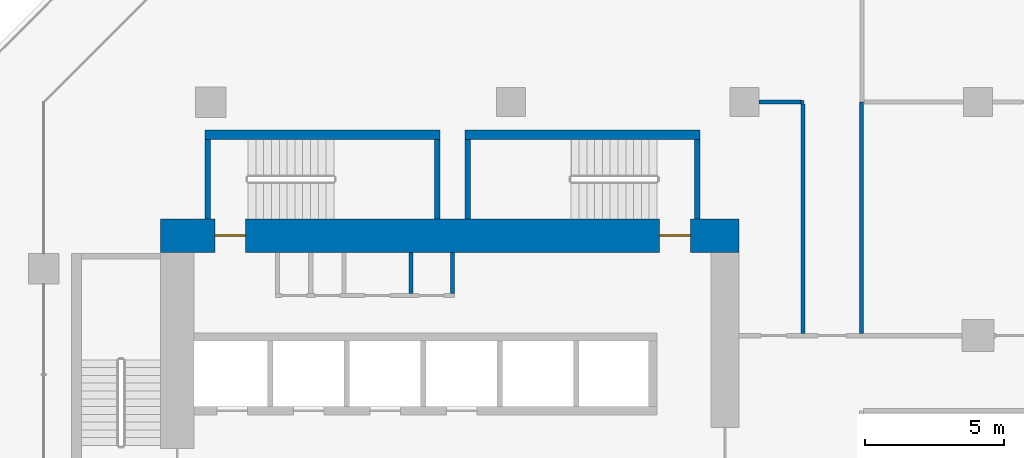
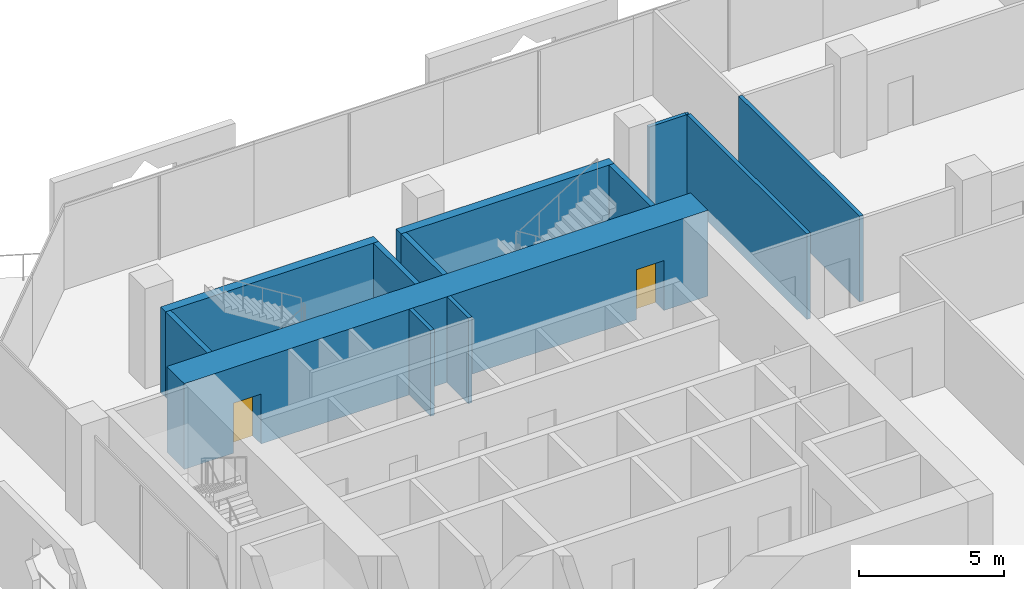
# One storey, part 16 of 25: 13 walls, 2 doors, 2 openings.
"""IFC4 building model written with IfcOpenShell, lengths in metres."""

from ifc_helpers import new_model, si_unit, direction, frame, frame_2d, origin, place, context, subcontext, project, spatial, rectangle, extrude, material, layer, layer_set, type_object, element, fill, save


model = new_model("IFC4")

# Units and contexts
model_context = context("Model", 3, precision=1e-05, world=origin(), true_north=direction((0.0, 1.0)))
body_context = subcontext(model_context, "Body", "Model", "MODEL_VIEW")
ifc_project = project(units=[si_unit("LENGTHUNIT", "METRE"), si_unit("AREAUNIT", "SQUARE_METRE"), si_unit("VOLUMEUNIT", "CUBIC_METRE"), si_unit("PLANEANGLEUNIT", "RADIAN"), si_unit("MASSUNIT", "GRAM", prefix="KILO")], contexts=[model_context])

# Site, building, storey
site_placement = place(None, origin())
site = spatial("IfcSite", under=ifc_project, at=site_placement, CompositionType="ELEMENT")
building_placement = place(site_placement, origin())
building = spatial("IfcBuilding", under=site, at=building_placement, Name="Kawkab Arch Medical Tower", CompositionType="ELEMENT")
storey_placement = place(building_placement, frame((0.0, 0.0, 98.800048828125)))
storey = spatial("IfcBuildingStorey", under=building, at=storey_placement, Name="L22", CompositionType="ELEMENT", Elevation=98.800048828125)

# Wall, openings, doors
ifc_material_1 = material(Name="Concrete C60/75", Category="concrete")
ifc_layer_1 = layer(ifc_material_1, 1.199951171875)
ifc_layer_set_1 = layer_set([ifc_layer_1], Name="Concrete C60/75")
wall_type_1 = type_object("IfcWallType", Name="Core ring wall 1200 C60/75", PredefinedType="SHEAR", material=ifc_layer_set_1)
wall_1_placement = place(storey_placement, frame((4.199951171875, -4.800048828125, 0.0), z_axis=(0.0, 0.0, 1.0), x_axis=(1.0, 0.0, 0.0)))
wall_1 = element("IfcWall", 1, at=wall_1_placement, inside=storey, type_object=wall_type_1, Name="L22 core wall", PredefinedType="SHEAR", context=body_context, shape_type="SweptSolid", body=[
    extrude(rectangle(XDim=20.800048828125, YDim=1.199951171875, at=frame_2d((10.39990234375, 0.0))), origin(), (0.0, 0.0, 1.0), 3.599853515625),
])
opening_1_placement = place(wall_1_placement, frame((1.949951171875, 0.0, 0.0)))
opening_1 = element("IfcOpeningElement", 2, at=opening_1_placement, cuts=wall_1, Name="Opening SD", PredefinedType="OPENING", context=body_context, shape_type="SweptSolid", body=[
    extrude(rectangle(XDim=1.10009765625, YDim=2.10009765625, at=frame_2d((0.550048828125, 1.050048828125))), frame((0.0, 0.60986328125, 0.0), z_axis=(0.0, -1.0, 0.0), x_axis=(1.0, 0.0, 0.0)), (0.0, 0.0, 1.0), 1.219970703125),
])
opening_2_placement = place(wall_1_placement, frame((17.949951171875, 0.0, 0.0)))
opening_2 = element("IfcOpeningElement", 3, at=opening_2_placement, cuts=wall_1, Name="Opening SD", PredefinedType="OPENING", context=body_context, shape_type="SweptSolid", body=[
    extrude(rectangle(XDim=1.10009765625, YDim=2.10009765625, at=frame_2d((0.550048828125, 1.050048828125))), frame((0.0, 0.60986328125, 0.0), z_axis=(0.0, -1.0, 0.0), x_axis=(1.0, 0.0, 0.0)), (0.0, 0.0, 1.0), 1.219970703125),
])
ifc_material_2 = material(Name="Hollow metal fire door leaf")
door_type = type_object("IfcDoorType", Name="Exit stair door 1100", OperationType="SINGLE_SWING_LEFT", PredefinedType="DOOR", material=ifc_material_2)
door_1_placement = place(opening_1_placement, origin())
door_1 = element("IfcDoor", 4, at=door_1_placement, inside=storey, type_object=door_type, Name="L22 Exit stair ST3 door", OperationType="SINGLE_SWING_LEFT", OverallHeight=2.10009765625, OverallWidth=1.10009765625, PredefinedType="DOOR", context=body_context, shape_type="SweptSolid", body=[
    extrude(rectangle(XDim=1.10009765625, YDim=2.10009765625, at=frame_2d((0.550048828125, 1.050048828125))), frame((0.0, 0.02490234375, 0.0), z_axis=(0.0, -1.0, 0.0), x_axis=(1.0, 0.0, 0.0)), (0.0, 0.0, 1.0), 0.050048828125),
])
fill(opening_1, door_1)
door_2_placement = place(opening_2_placement, origin())
door_2 = element("IfcDoor", 5, at=door_2_placement, inside=storey, type_object=door_type, Name="L22 Exit stair ST4 door", OperationType="SINGLE_SWING_LEFT", OverallHeight=2.10009765625, OverallWidth=1.10009765625, PredefinedType="DOOR", context=body_context, shape_type="SweptSolid", body=[
    extrude(rectangle(XDim=1.10009765625, YDim=2.10009765625, at=frame_2d((0.550048828125, 1.050048828125))), frame((0.0, 0.02490234375, 0.0), z_axis=(0.0, -1.0, 0.0), x_axis=(1.0, 0.0, 0.0)), (0.0, 0.0, 1.0), 0.050048828125),
])
fill(opening_2, door_2)

# Walls
ifc_material_3 = material(Name="Gypsum board on steel studs", Category="steel")
ifc_layer_2 = layer(ifc_material_3, 0.14990234375)
ifc_layer_set_2 = layer_set([ifc_layer_2], Name="Gypsum board on steel studs")
wall_type_2 = type_object("IfcWallType", Name="Core room partition 150", PredefinedType="PARTITIONING", material=ifc_layer_set_2)
for number, where, z_axis, x_axis, name in (
    (6, (13.199951171875, -6.875, 0.0), (0.0, 0.0, 1.0), (0.0, 1.0, 0.0), "L22 core room partition"),
    (7, (14.699951171875, -6.875, 0.0), (0.0, 0.0, 1.0), (0.0, 1.0, 0.0), "L22 core room partition"),
):
    element("IfcWall", number, at=place(storey_placement, frame(where, z_axis=z_axis, x_axis=x_axis)), inside=storey, type_object=wall_type_2, Name=name, PredefinedType="PARTITIONING", context=body_context, shape_type="SweptSolid", body=[
        extrude(rectangle(XDim=1.47509765625, YDim=0.14990234375, at=frame_2d((0.737548828125, 0.0))), origin(), (0.0, 0.0, 1.0), 3.599853515625),
    ])
ifc_material_4 = material(Name="Gypsum board partition on steel studs", Category="steel")
ifc_layer_3 = layer(ifc_material_4, 0.10009765625)
ifc_layer_set_3 = layer_set([ifc_layer_3], Name="Gypsum board partition on steel studs")
wall_type_3 = type_object("IfcWallType", Name="Partition 100", PredefinedType="PARTITIONING", material=ifc_layer_set_3)
wall_2_placement = place(storey_placement, frame((27.219970703125, 0.0, 0.0), z_axis=(0.0, 0.0, 1.0), x_axis=(1.0, 0.0, 0.0)))
element("IfcWall", 8, at=wall_2_placement, inside=storey, type_object=wall_type_3, Name="Partition 100 w001", PredefinedType="PARTITIONING", context=body_context, shape_type="SweptSolid", body=[
    extrude(rectangle(XDim=0.1201171875, YDim=0.10009765625, at=frame_2d((0.06005859375, 0.0))), origin(), (0.0, 0.0, 1.0), 3.599853515625),
])
ifc_material_5 = material(Name="Gypsum board partition on steel studs, mineral wool", Category="steel")
ifc_layer_4 = layer(ifc_material_5, 0.14990234375)
ifc_layer_set_4 = layer_set([ifc_layer_4], Name="Gypsum board partition on steel studs, mineral wool")
wall_type_4 = type_object("IfcWallType", Name="Partition 150", PredefinedType="PARTITIONING", material=ifc_layer_set_4)
wall_3_placement = place(storey_placement, frame((25.72705078125, 0.0, 0.0), z_axis=(0.0, 0.0, 1.0), x_axis=(1.0, 0.0, 0.0)))
element("IfcWall", 9, at=wall_3_placement, inside=storey, type_object=wall_type_4, Name="Partition 150 w017", PredefinedType="PARTITIONING", context=body_context, shape_type="SweptSolid", body=[
    extrude(rectangle(XDim=1.532958984375, YDim=0.14990234375, at=frame_2d((0.7666015625, 0.0))), origin(), (0.0, 0.0, 1.0), 3.599853515625),
])
wall_4_placement = place(storey_placement, frame((27.300048828125, -8.324951171875, 0.0), z_axis=(0.0, 0.0, 1.0), x_axis=(0.0, 1.0, 0.0)))
element("IfcWall", 10, at=wall_4_placement, inside=storey, type_object=wall_type_4, Name="Partition 150 w027", PredefinedType="PARTITIONING", context=body_context, shape_type="SweptSolid", body=[
    extrude(rectangle(XDim=8.25, YDim=0.14990234375, at=frame_2d((4.125, 0.0))), origin(), (0.0, 0.0, 1.0), 3.599853515625),
])
wall_5_placement = place(storey_placement, frame((29.39990234375, -8.324951171875, 0.0), z_axis=(0.0, 0.0, 1.0), x_axis=(0.0, 1.0, 0.0)))
element("IfcWall", 11, at=wall_5_placement, inside=storey, type_object=wall_type_4, Name="Partition 150 w029", PredefinedType="PARTITIONING", context=body_context, shape_type="SweptSolid", body=[
    extrude(rectangle(XDim=8.322998046875, YDim=0.14990234375, at=frame_2d((4.16162109375, 0.0))), origin(), (0.0, 0.0, 1.0), 3.599853515625),
])
ifc_material_6 = material(Name="Concrete C50/60", Category="concrete")
ifc_layer_5 = layer(ifc_material_6, 0.199951171875)
ifc_layer_set_5 = layer_set([ifc_layer_5], Name="Concrete C50/60")
wall_type_5 = type_object("IfcWallType", Name="Stair enclosure wall 200 C50/60", PredefinedType="SHEAR", material=ifc_layer_set_5)
for number, where, z_axis, x_axis, name in (
    (12, (5.89990234375, -4.199951171875, 0.0), (0.0, 0.0, 1.0), (0.0, 1.0, 0.0), "L22 stair enclosure wall"),
    (13, (14.14990234375, -4.199951171875, 0.0), (0.0, 0.0, 1.0), (0.0, 1.0, 0.0), "L22 stair enclosure wall"),
    (14, (15.25, -4.199951171875, 0.0), (0.0, 0.0, 1.0), (0.0, 1.0, 0.0), "L22 stair enclosure wall"),
    (15, (23.5, -4.199951171875, 0.0), (0.0, 0.0, 1.0), (0.0, 1.0, 0.0), "L22 stair enclosure wall"),
):
    element("IfcWall", number, at=place(storey_placement, frame(where, z_axis=z_axis, x_axis=x_axis)), inside=storey, type_object=wall_type_5, Name=name, PredefinedType="SHEAR", context=body_context, shape_type="SweptSolid", body=[
        extrude(rectangle(XDim=2.849853515625, YDim=0.199951171875, at=frame_2d((1.4248046875, 0.0))), origin(), (0.0, 0.0, 1.0), 3.599853515625),
    ])
ifc_material_7 = material(Name="Concrete C50/60", Category="concrete")
ifc_layer_6 = layer(ifc_material_7, 0.35009765625)
ifc_layer_set_6 = layer_set([ifc_layer_6], Name="Concrete C50/60")
wall_type_6 = type_object("IfcWallType", Name="Stair enclosure wall 350 C50/60", PredefinedType="SHEAR", material=ifc_layer_set_6)
wall_6_placement = place(storey_placement, frame((5.800048828125, -1.175048828125, 0.0), z_axis=(0.0, 0.0, 1.0), x_axis=(1.0, 0.0, 0.0)))
element("IfcWall", 16, at=wall_6_placement, inside=storey, type_object=wall_type_6, Name="L22 stair enclosure wall", PredefinedType="SHEAR", context=body_context, shape_type="SweptSolid", body=[
    extrude(rectangle(XDim=8.449951171875, YDim=0.35009765625, at=frame_2d((4.22509765625, 0.0))), origin(), (0.0, 0.0, 1.0), 3.599853515625),
])
wall_7_placement = place(storey_placement, frame((15.14990234375, -1.175048828125, 0.0), z_axis=(0.0, 0.0, 1.0), x_axis=(1.0, 0.0, 0.0)))
element("IfcWall", 17, at=wall_7_placement, inside=storey, type_object=wall_type_6, Name="L22 stair enclosure wall", PredefinedType="SHEAR", context=body_context, shape_type="SweptSolid", body=[
    extrude(rectangle(XDim=8.4501953125, YDim=0.35009765625, at=frame_2d((4.22509765625, 0.0))), origin(), (0.0, 0.0, 1.0), 3.599853515625),
])

save(model, "model.ifc")
